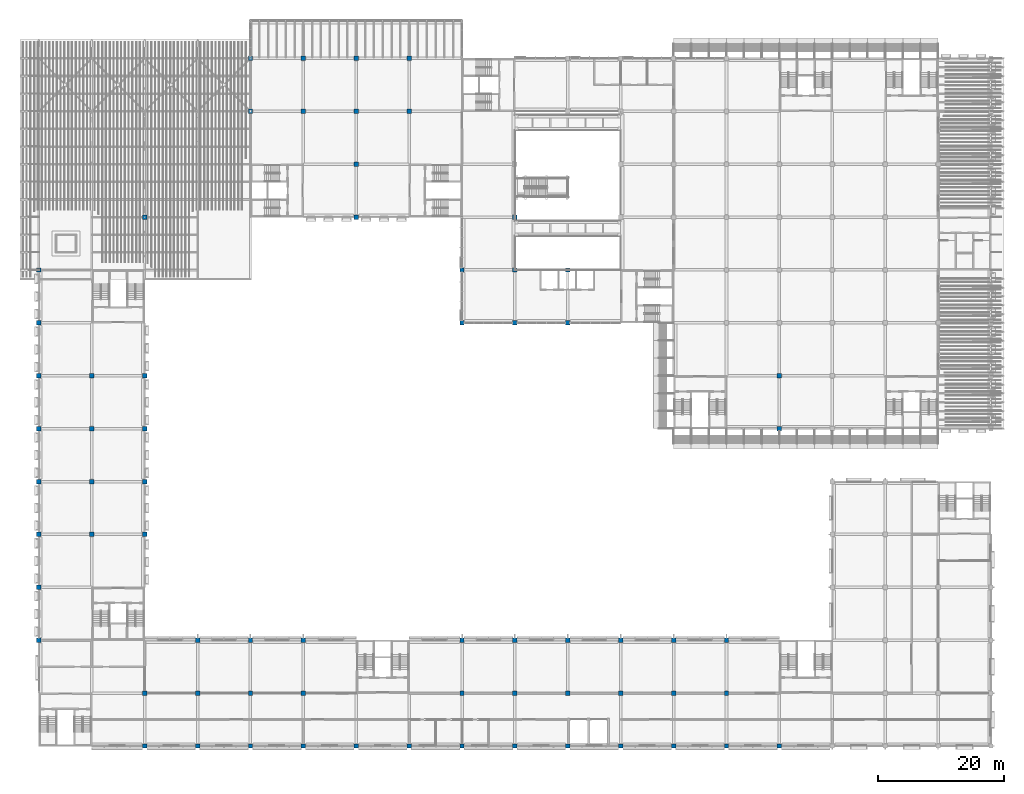
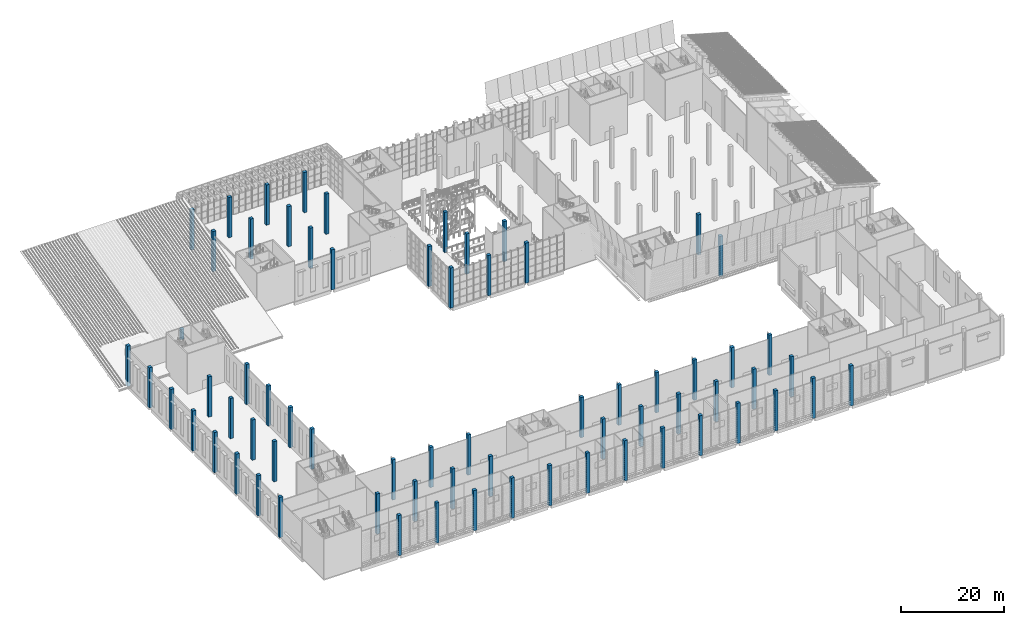
# One storey, part 1 of 114: 68 columns.
"""IFC4 building model written with IfcOpenShell, lengths in metres."""

from ifc_helpers import new_model, si_unit, direction, frame, origin, origin_2d, place, context, subcontext, project, spatial, rectangle, extrude, material, material_profile, profile_set, type_object, element, save


model = new_model("IFC4")

# Units and contexts
model_context = context("Model", 3, precision=1e-05, world=origin(), true_north=direction((0.0, 1.0)))
body_context = subcontext(model_context, "Body", "Model", "MODEL_VIEW")
ifc_project = project(units=[si_unit("LENGTHUNIT", "METRE"), si_unit("AREAUNIT", "SQUARE_METRE"), si_unit("VOLUMEUNIT", "CUBIC_METRE"), si_unit("PLANEANGLEUNIT", "RADIAN"), si_unit("MASSUNIT", "GRAM", prefix="KILO")], contexts=[model_context])

# Site, building, storey
site_placement = place(None, origin())
site = spatial("IfcSite", under=ifc_project, at=site_placement, CompositionType="ELEMENT")
building_placement = place(site_placement, origin())
building = spatial("IfcBuilding", under=site, at=building_placement, Name="Almond Square Museum", CompositionType="ELEMENT")
storey_placement = place(building_placement, frame((0.0, 0.0, 10.5)))
storey = spatial("IfcBuildingStorey", under=building, at=storey_placement, Name="L02", CompositionType="ELEMENT", Elevation=10.5)

# Columns
ifc_material = material(Name="Concrete C40/50", Category="concrete")
ifc_material_profile = material_profile(ifc_material, rectangle(XDim=0.699951171875, YDim=0.699951171875, at=origin_2d()))
ifc_profile_set = profile_set([ifc_material_profile], Name="Concrete C40/50")
column_type = type_object("IfcColumnType", Name="RC column 700 x 700 C40/50", PredefinedType="COLUMN", material=ifc_profile_set)
for number, where, z_axis, x_axis, name in (
    (1, (6.0, 16.800048828125, 0.0), (0.0, 0.0, 1.0), (1.0, 0.0, 0.0), "Column 2-C L02"),
    (2, (6.0, 25.199951171875, 0.0), (0.0, 0.0, 1.0), (1.0, 0.0, 0.0), "Column 2-D L02"),
    (3, (6.0, 33.60009765625, 0.0), (0.0, 0.0, 1.0), (1.0, 0.0, 0.0), "Column 2-E L02"),
    (4, (6.0, 42.0, 0.0), (0.0, 0.0, 1.0), (1.0, 0.0, 0.0), "Column 2-F L02"),
    (5, (6.0, 50.39990234375, 0.0), (0.0, 0.0, 1.0), (1.0, 0.0, 0.0), "Column 2-G L02"),
    (6, (6.0, 58.800048828125, 0.0), (0.0, 0.0, 1.0), (1.0, 0.0, 0.0), "Column 2-H L02"),
    (7, (6.0, 67.199951171875, 0.0), (0.0, 0.0, 1.0), (1.0, 0.0, 0.0), "Column 2-I L02"),
    (8, (6.0, 75.60009765625, 0.0), (0.0, 0.0, 1.0), (1.0, 0.0, 0.0), "Column 2-J L02"),
    (9, (14.39990234375, 33.60009765625, 0.0), (0.0, 0.0, 1.0), (1.0, 0.0, 0.0), "Column 3-E L02"),
    (10, (14.39990234375, 42.0, 0.0), (0.0, 0.0, 1.0), (1.0, 0.0, 0.0), "Column 3-F L02"),
    (11, (14.39990234375, 50.39990234375, 0.0), (0.0, 0.0, 1.0), (1.0, 0.0, 0.0), "Column 3-G L02"),
    (12, (14.39990234375, 58.800048828125, 0.0), (0.0, 0.0, 1.0), (1.0, 0.0, 0.0), "Column 3-H L02"),
    (13, (22.800048828125, 0.0, 0.0), (0.0, 0.0, 1.0), (1.0, 0.0, 0.0), "Column 4-A L02"),
    (14, (22.800048828125, 8.39990234375, 0.0), (0.0, 0.0, 1.0), (1.0, 0.0, 0.0), "Column 4-B L02"),
    (15, (22.800048828125, 33.60009765625, 0.0), (0.0, 0.0, 1.0), (1.0, 0.0, 0.0), "Column 4-E L02"),
    (16, (22.800048828125, 42.0, 0.0), (0.0, 0.0, 1.0), (1.0, 0.0, 0.0), "Column 4-F L02"),
    (17, (22.800048828125, 50.39990234375, 0.0), (0.0, 0.0, 1.0), (1.0, 0.0, 0.0), "Column 4-G L02"),
    (18, (22.800048828125, 58.800048828125, 0.0), (0.0, 0.0, 1.0), (1.0, 0.0, 0.0), "Column 4-H L02"),
    (19, (31.199951171875, 0.0, 0.0), (0.0, 0.0, 1.0), (1.0, 0.0, 0.0), "Column 5-A L02"),
    (20, (31.199951171875, 8.39990234375, 0.0), (0.0, 0.0, 1.0), (1.0, 0.0, 0.0), "Column 5-B L02"),
    (21, (31.199951171875, 16.800048828125, 0.0), (0.0, 0.0, 1.0), (1.0, 0.0, 0.0), "Column 5-C L02"),
    (22, (39.60009765625, 0.0, 0.0), (0.0, 0.0, 1.0), (1.0, 0.0, 0.0), "Column 6-A L02"),
    (23, (39.60009765625, 8.39990234375, 0.0), (0.0, 0.0, 1.0), (1.0, 0.0, 0.0), "Column 6-B L02"),
    (24, (39.60009765625, 16.800048828125, 0.0), (0.0, 0.0, 1.0), (1.0, 0.0, 0.0), "Column 6-C L02"),
    (25, (39.60009765625, 100.800048828125, 0.0), (0.0, 0.0, 1.0), (1.0, 0.0, 0.0), "Column 6-M L02"),
    (26, (39.60009765625, 109.199951171875, 0.0), (0.0, 0.0, 1.0), (1.0, 0.0, 0.0), "Column 6-N L02"),
    (27, (48.0, 0.0, 0.0), (0.0, 0.0, 1.0), (1.0, 0.0, 0.0), "Column 7-A L02"),
    (28, (48.0, 8.39990234375, 0.0), (0.0, 0.0, 1.0), (1.0, 0.0, 0.0), "Column 7-B L02"),
    (29, (48.0, 16.800048828125, 0.0), (0.0, 0.0, 1.0), (1.0, 0.0, 0.0), "Column 7-C L02"),
    (30, (48.0, 100.800048828125, 0.0), (0.0, 0.0, 1.0), (1.0, 0.0, 0.0), "Column 7-M L02"),
    (31, (48.0, 109.199951171875, 0.0), (0.0, 0.0, 1.0), (1.0, 0.0, 0.0), "Column 7-N L02"),
    (32, (56.39990234375, 0.0, 0.0), (0.0, 0.0, 1.0), (1.0, 0.0, 0.0), "Column 8-A L02"),
    (33, (56.39990234375, 84.0, 0.0), (0.0, 0.0, 1.0), (1.0, 0.0, 0.0), "Column 8-K L02"),
    (34, (56.39990234375, 92.39990234375, 0.0), (0.0, 0.0, 1.0), (1.0, 0.0, 0.0), "Column 8-L L02"),
    (35, (56.39990234375, 100.800048828125, 0.0), (0.0, 0.0, 1.0), (1.0, 0.0, 0.0), "Column 8-M L02"),
    (36, (56.39990234375, 109.199951171875, 0.0), (0.0, 0.0, 1.0), (1.0, 0.0, 0.0), "Column 8-N L02"),
    (37, (64.800048828125, 0.0, 0.0), (0.0, 0.0, 1.0), (1.0, 0.0, 0.0), "Column 9-A L02"),
    (38, (64.800048828125, 100.800048828125, 0.0), (0.0, 0.0, 1.0), (1.0, 0.0, 0.0), "Column 9-M L02"),
    (39, (64.800048828125, 109.199951171875, 0.0), (0.0, 0.0, 1.0), (1.0, 0.0, 0.0), "Column 9-N L02"),
    (40, (73.199951171875, 0.0, 0.0), (0.0, 0.0, 1.0), (1.0, 0.0, 0.0), "Column 10-A L02"),
    (41, (73.199951171875, 8.39990234375, 0.0), (0.0, 0.0, 1.0), (1.0, 0.0, 0.0), "Column 10-B L02"),
    (42, (73.199951171875, 16.800048828125, 0.0), (0.0, 0.0, 1.0), (1.0, 0.0, 0.0), "Column 10-C L02"),
    (43, (73.199951171875, 67.199951171875, 0.0), (0.0, 0.0, 1.0), (1.0, 0.0, 0.0), "Column 10-I L02"),
    (44, (73.199951171875, 75.60009765625, 0.0), (0.0, 0.0, 1.0), (1.0, 0.0, 0.0), "Column 10-J L02"),
    (45, (81.60009765625, 0.0, 0.0), (0.0, 0.0, 1.0), (1.0, 0.0, 0.0), "Column 11-A L02"),
    (46, (81.60009765625, 8.39990234375, 0.0), (0.0, 0.0, 1.0), (1.0, 0.0, 0.0), "Column 11-B L02"),
    (47, (81.60009765625, 16.800048828125, 0.0), (0.0, 0.0, 1.0), (1.0, 0.0, 0.0), "Column 11-C L02"),
    (48, (81.60009765625, 67.199951171875, 0.0), (0.0, 0.0, 1.0), (1.0, 0.0, 0.0), "Column 11-I L02"),
    (49, (81.60009765625, 75.60009765625, 0.0), (0.0, 0.0, 1.0), (1.0, 0.0, 0.0), "Column 11-J L02"),
    (50, (81.60009765625, 84.0, 0.0), (0.0, 0.0, 1.0), (1.0, 0.0, 0.0), "Column 11-K L02"),
    (51, (90.0, 0.0, 0.0), (0.0, 0.0, 1.0), (1.0, 0.0, 0.0), "Column 12-A L02"),
    (52, (90.0, 8.39990234375, 0.0), (0.0, 0.0, 1.0), (1.0, 0.0, 0.0), "Column 12-B L02"),
    (53, (90.0, 16.800048828125, 0.0), (0.0, 0.0, 1.0), (1.0, 0.0, 0.0), "Column 12-C L02"),
    (54, (90.0, 67.199951171875, 0.0), (0.0, 0.0, 1.0), (1.0, 0.0, 0.0), "Column 12-I L02"),
    (55, (90.0, 75.60009765625, 0.0), (0.0, 0.0, 1.0), (1.0, 0.0, 0.0), "Column 12-J L02"),
    (56, (98.39990234375, 0.0, 0.0), (0.0, 0.0, 1.0), (1.0, 0.0, 0.0), "Column 13-A L02"),
    (57, (98.39990234375, 8.39990234375, 0.0), (0.0, 0.0, 1.0), (1.0, 0.0, 0.0), "Column 13-B L02"),
    (58, (98.39990234375, 16.800048828125, 0.0), (0.0, 0.0, 1.0), (1.0, 0.0, 0.0), "Column 13-C L02"),
    (59, (106.800048828125, 0.0, 0.0), (0.0, 0.0, 1.0), (1.0, 0.0, 0.0), "Column 14-A L02"),
    (60, (106.800048828125, 8.39990234375, 0.0), (0.0, 0.0, 1.0), (1.0, 0.0, 0.0), "Column 14-B L02"),
    (61, (106.800048828125, 16.800048828125, 0.0), (0.0, 0.0, 1.0), (1.0, 0.0, 0.0), "Column 14-C L02"),
    (62, (115.199951171875, 0.0, 0.0), (0.0, 0.0, 1.0), (1.0, 0.0, 0.0), "Column 15-A L02"),
    (63, (115.199951171875, 8.39990234375, 0.0), (0.0, 0.0, 1.0), (1.0, 0.0, 0.0), "Column 15-B L02"),
    (64, (115.199951171875, 16.800048828125, 0.0), (0.0, 0.0, 1.0), (1.0, 0.0, 0.0), "Column 15-C L02"),
    (65, (123.60009765625, 0.0, 0.0), (0.0, 0.0, 1.0), (1.0, 0.0, 0.0), "Column 16-A L02"),
    (66, (123.60009765625, 50.39990234375, 0.0), (0.0, 0.0, 1.0), (1.0, 0.0, 0.0), "Column 16-G L02"),
    (67, (123.60009765625, 58.800048828125, 0.0), (0.0, 0.0, 1.0), (1.0, 0.0, 0.0), "Column 16-H L02"),
):
    element("IfcColumn", number, at=place(storey_placement, frame(where, z_axis=z_axis, x_axis=x_axis)), inside=storey, type_object=column_type, Name=name, PredefinedType="COLUMN", context=body_context, shape_type="SweptSolid", body=[
        extrude(rectangle(XDim=0.699951171875, YDim=0.699951171875, at=origin_2d()), origin(), (0.0, 0.0, 1.0), 9.5),
    ])
column_placement = place(storey_placement, frame((22.800048828125, 84.0, 0.0), z_axis=(0.0, 0.0, 1.0), x_axis=(1.0, 0.0, 0.0)))
element("IfcColumn", 68, at=column_placement, inside=storey, type_object=column_type, Name="Column 4-K L02", PredefinedType="COLUMN", context=body_context, shape_type="SweptSolid", body=[
    extrude(rectangle(XDim=0.699951171875, YDim=0.699951171875, at=origin_2d()), origin(), (0.0, 0.0, 1.0), 2.445068359375),
])

save(model, "model.ifc")
